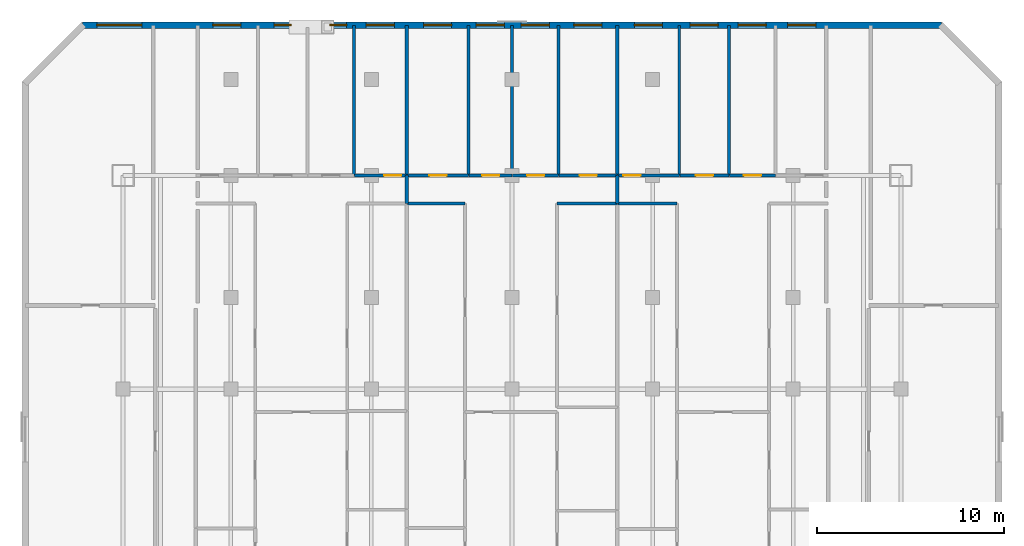
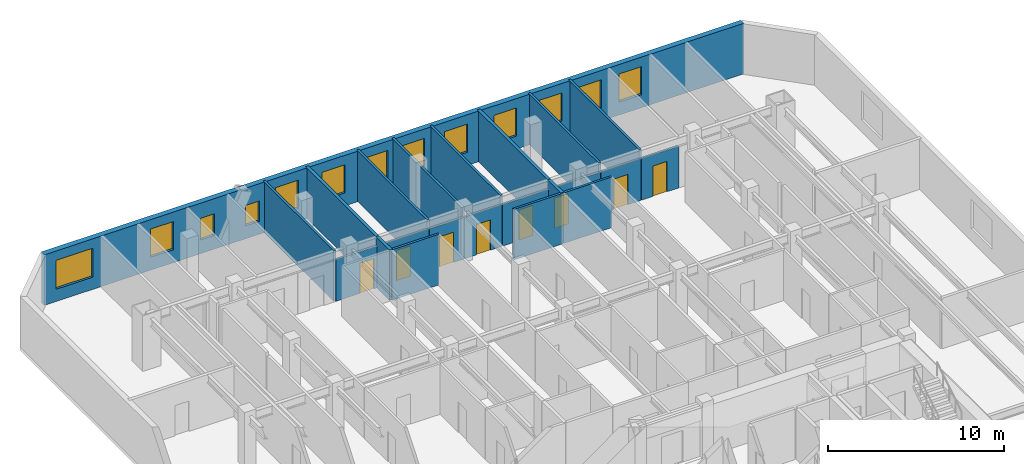
# One storey, part 6 of 8: 22 walls, 13 windows, 8 doors, 21 openings.
"""IFC4 building model written with IfcOpenShell, lengths in metres."""

from ifc_helpers import new_model, si_unit, direction, frame, frame_2d, origin, place, context, subcontext, project, spatial, rectangle, extrude, material, layer, layer_set, type_object, element, fill, save


model = new_model("IFC4")

# Units and contexts
model_context = context("Model", 3, precision=1e-05, world=origin(), true_north=direction((0.0, 1.0)))
body_context = subcontext(model_context, "Body", "Model", "MODEL_VIEW")
ifc_project = project(units=[si_unit("LENGTHUNIT", "METRE"), si_unit("AREAUNIT", "SQUARE_METRE"), si_unit("VOLUMEUNIT", "CUBIC_METRE"), si_unit("PLANEANGLEUNIT", "RADIAN"), si_unit("MASSUNIT", "GRAM", prefix="KILO")], contexts=[model_context])

# Site, building, storey
site_placement = place(None, origin())
site = spatial("IfcSite", under=ifc_project, at=site_placement, CompositionType="ELEMENT")
building_placement = place(site_placement, origin())
building = spatial("IfcBuilding", under=site, at=building_placement, Name="Ventersveld Concourse Tower", CompositionType="ELEMENT")
storey_placement = place(building_placement, frame((0.0, 0.0, 131.10009765625)))
storey = spatial("IfcBuildingStorey", under=building, at=storey_placement, Name="L32", CompositionType="ELEMENT", Elevation=131.10009765625)

# Walls
ifc_material_1 = material(Name="Fire-rated autoclaved aerated masonry blockwork", Category="masonry")
ifc_layer_1 = layer(ifc_material_1, 0.199951171875)
ifc_layer_set_1 = layer_set([ifc_layer_1], Name="Fire-rated autoclaved aerated masonry blockwork")
wall_type_1 = type_object("IfcWallType", Name="WL-DEMISE-200", PredefinedType="PARTITIONING", material=ifc_layer_set_1)
wall_1_placement = place(storey_placement, frame((23.1298828125, 33.4951171875, 0.0), z_axis=(0.0, 0.0, 1.0), x_axis=(0.0, 1.0, 0.0)))
element("IfcWall", 1, at=wall_1_placement, inside=storey, type_object=wall_type_1, Name="L32 Interior Partition SP-L32-32N1-LIV-SP-L32-32N2-LIV", PredefinedType="PARTITIONING", context=body_context, shape_type="SweptSolid", body=[
    extrude(rectangle(XDim=1.509765625, YDim=0.199951171875, at=frame_2d((0.7548828125, 0.0))), origin(), (0.0, 0.0, 1.0), 3.5),
])
wall_2_placement = place(storey_placement, frame((23.1298828125, 35.034912109375, 0.0), z_axis=(0.0, 0.0, 1.0), x_axis=(0.0, 1.0, 0.0)))
element("IfcWall", 2, at=wall_2_placement, inside=storey, type_object=wall_type_1, Name="L32 Interior Partition SP-L32-32N1-BR4-SP-L32-32N2-BR1", PredefinedType="PARTITIONING", context=body_context, shape_type="SweptSolid", body=[
    extrude(rectangle(XDim=7.955078125, YDim=0.199951171875, at=frame_2d((3.9775390625, 0.0))), origin(), (0.0, 0.0, 1.0), 3.5),
])
wall_3_placement = place(storey_placement, frame((34.3701171875, 33.4951171875, 0.0), z_axis=(0.0, 0.0, 1.0), x_axis=(0.0, 1.0, 0.0)))
element("IfcWall", 3, at=wall_3_placement, inside=storey, type_object=wall_type_1, Name="L32 Interior Partition SP-L32-32N2-LIV-SP-L32-32N3-LIV", PredefinedType="PARTITIONING", context=body_context, shape_type="SweptSolid", body=[
    extrude(rectangle(XDim=1.509765625, YDim=0.199951171875, at=frame_2d((0.7548828125, 0.0))), origin(), (0.0, 0.0, 1.0), 3.5),
])
wall_4_placement = place(storey_placement, frame((34.3701171875, 35.034912109375, 0.0), z_axis=(0.0, 0.0, 1.0), x_axis=(0.0, 1.0, 0.0)))
element("IfcWall", 4, at=wall_4_placement, inside=storey, type_object=wall_type_1, Name="L32 Interior Partition SP-L32-32N2-BR4-SP-L32-32N3-BR1", PredefinedType="PARTITIONING", context=body_context, shape_type="SweptSolid", body=[
    extrude(rectangle(XDim=7.955078125, YDim=0.199951171875, at=frame_2d((3.9775390625, 0.0))), origin(), (0.0, 0.0, 1.0), 3.5),
])

# Wall, opening, door
ifc_material_2 = material(Name="Autoclaved aerated masonry blockwork", Category="masonry")
ifc_layer_2 = layer(ifc_material_2, 0.14990234375)
ifc_layer_set_2 = layer_set([ifc_layer_2], Name="Autoclaved aerated masonry blockwork")
wall_type_2 = type_object("IfcWallType", Name="WL-INT-150", PredefinedType="PARTITIONING", material=ifc_layer_set_2)
wall_5_placement = place(storey_placement, frame((20.35498046875, 35.0, 0.0), z_axis=(0.0, 0.0, 1.0), x_axis=(1.0, 0.0, 0.0)))
wall_5 = element("IfcWall", 5, at=wall_5_placement, inside=storey, type_object=wall_type_2, Name="L32 Interior Partition SP-L32-32N1-LIV-SP-L32-32N1-BR4", PredefinedType="PARTITIONING", context=body_context, shape_type="SweptSolid", body=[
    extrude(rectangle(XDim=2.780029296875, YDim=0.14990234375, at=frame_2d((1.39013671875, 0.0))), origin(), (0.0, 0.0, 1.0), 2.8828125),
])
opening_1_placement = place(wall_5_placement, frame((1.580078125, 0.0, 0.0)))
opening_1 = element("IfcOpeningElement", 6, at=opening_1_placement, cuts=wall_5, Name="Opening ID1", PredefinedType="OPENING", context=body_context, shape_type="SweptSolid", body=[
    extrude(rectangle(XDim=0.919921875, YDim=2.10009765625, at=frame_2d((0.4599609375, 1.050048828125))), frame((0.0, 0.0849609375, 0.0), z_axis=(0.0, -1.0, 0.0), x_axis=(1.0, 0.0, 0.0)), (0.0, 0.0, 1.0), 0.169921875),
])
ifc_material_3 = material(Name="Solid-core hardwood veneer timber", Category="wood")
door_type = type_object("IfcDoorType", Name="DR-ROOM-092", OperationType="NOTDEFINED", PredefinedType="DOOR", material=ifc_material_3)
door_1_placement = place(opening_1_placement, origin())
door_1 = element("IfcDoor", 7, at=door_1_placement, inside=storey, type_object=door_type, Name="L32 Interior Door SP-L32-32N1-LIV to SP-L32-32N1-BR4 (D-L32-1611)", OperationType="SINGLE_SWING_LEFT", OverallHeight=2.10009765625, OverallWidth=0.919921875, PredefinedType="DOOR", context=body_context, shape_type="SweptSolid", body=[
    extrude(rectangle(XDim=0.919921875, YDim=2.10009765625, at=frame_2d((0.4599609375, 1.050048828125))), frame((0.0, 0.02490234375, 0.0), z_axis=(0.0, -1.0, 0.0), x_axis=(1.0, 0.0, 0.0)), (0.0, 0.0, 1.0), 0.050048828125),
])
fill(opening_1, door_1)

# Walls
wall_6_placement = place(storey_placement, frame((20.31982421875, 34.9951171875, 0.0), z_axis=(0.0, 0.0, 1.0), x_axis=(0.0, 1.0, 0.0)))
element("IfcWall", 8, at=wall_6_placement, inside=storey, type_object=wall_type_2, Name="L32 Interior Partition SP-L32-32N1-BR3-SP-L32-32N1-BR4", PredefinedType="PARTITIONING", context=body_context, shape_type="SweptSolid", body=[
    extrude(rectangle(XDim=7.994873046875, YDim=0.14990234375, at=frame_2d((3.99755859375, 0.0))), origin(), (0.0, 0.0, 1.0), 3.5),
])
wall_7_placement = place(storey_placement, frame((23.1650390625, 33.5, 0.0), z_axis=(0.0, 0.0, 1.0), x_axis=(1.0, 0.0, 0.0)))
element("IfcWall", 9, at=wall_7_placement, inside=storey, type_object=wall_type_2, Name="L32 Interior Partition SP-L32-32N2-LIV-SP-L32-32N2-OFFL0", PredefinedType="PARTITIONING", context=body_context, shape_type="SweptSolid", body=[
    extrude(rectangle(XDim=3.090087890625, YDim=0.14990234375, at=frame_2d((1.544921875, 0.0))), origin(), (0.0, 0.0, 1.0), 3.5),
])
wall_8_placement = place(storey_placement, frame((31.15283203125, 33.5, 0.0), z_axis=(0.0, 0.0, 1.0), x_axis=(1.0, 0.0, 0.0)))
element("IfcWall", 10, at=wall_8_placement, inside=storey, type_object=wall_type_2, Name="L32 Interior Partition SP-L32-32N2-LIV-SP-L32-32N2-DENS", PredefinedType="PARTITIONING", context=body_context, shape_type="SweptSolid", body=[
    extrude(rectangle(XDim=3.22216796875, YDim=0.14990234375, at=frame_2d((1.611083984375, 0.0))), origin(), (0.0, 0.0, 1.0), 3.5),
])

# Wall, opening, door
wall_9_placement = place(storey_placement, frame((23.1650390625, 35.0, 0.0), z_axis=(0.0, 0.0, 1.0), x_axis=(1.0, 0.0, 0.0)))
wall_9 = element("IfcWall", 11, at=wall_9_placement, inside=storey, type_object=wall_type_2, Name="L32 Interior Partition SP-L32-32N2-LIV-SP-L32-32N2-BR1", PredefinedType="PARTITIONING", context=body_context, shape_type="SweptSolid", body=[
    extrude(rectangle(XDim=3.27294921875, YDim=0.14990234375, at=frame_2d((1.636474609375, 0.0))), origin(), (0.0, 0.0, 1.0), 2.8828125),
])
opening_2_placement = place(wall_9_placement, frame((1.176513671875, 0.0, 0.0)))
opening_2 = element("IfcOpeningElement", 12, at=opening_2_placement, cuts=wall_9, Name="Opening ID1", PredefinedType="OPENING", context=body_context, shape_type="SweptSolid", body=[
    extrude(rectangle(XDim=0.919921875, YDim=2.10009765625, at=frame_2d((0.4599609375, 1.050048828125))), frame((0.0, 0.0849609375, 0.0), z_axis=(0.0, -1.0, 0.0), x_axis=(1.0, 0.0, 0.0)), (0.0, 0.0, 1.0), 0.169921875),
])
door_2_placement = place(opening_2_placement, origin())
door_2 = element("IfcDoor", 13, at=door_2_placement, inside=storey, type_object=door_type, Name="L32 Interior Door SP-L32-32N2-LIV to SP-L32-32N2-BR1 (D-L32-1619)", OperationType="SINGLE_SWING_LEFT", OverallHeight=2.10009765625, OverallWidth=0.919921875, PredefinedType="DOOR", context=body_context, shape_type="SweptSolid", body=[
    extrude(rectangle(XDim=0.919921875, YDim=2.10009765625, at=frame_2d((0.4599609375, 1.050048828125))), frame((0.0, 0.02490234375, 0.0), z_axis=(0.0, -1.0, 0.0), x_axis=(1.0, 0.0, 0.0)), (0.0, 0.0, 1.0), 0.050048828125),
])
fill(opening_2, door_2)

wall_10_placement = place(storey_placement, frame((26.468017578125, 35.0, 0.0), z_axis=(0.0, 0.0, 1.0), x_axis=(1.0, 0.0, 0.0)))
wall_10 = element("IfcWall", 14, at=wall_10_placement, inside=storey, type_object=wall_type_2, Name="L32 Interior Partition SP-L32-32N2-LIV-SP-L32-32N2-BR2", PredefinedType="PARTITIONING", context=body_context, shape_type="SweptSolid", body=[
    extrude(rectangle(XDim=2.286865234375, YDim=0.14990234375, at=frame_2d((1.1435546875, 0.0))), origin(), (0.0, 0.0, 1.0), 2.8828125),
])
opening_3_placement = place(wall_10_placement, frame((0.683349609375, 0.0, 0.0)))
opening_3 = element("IfcOpeningElement", 15, at=opening_3_placement, cuts=wall_10, Name="Opening ID1", PredefinedType="OPENING", context=body_context, shape_type="SweptSolid", body=[
    extrude(rectangle(XDim=0.919921875, YDim=2.10009765625, at=frame_2d((0.4599609375, 1.050048828125))), frame((0.0, 0.0849609375, 0.0), z_axis=(0.0, -1.0, 0.0), x_axis=(1.0, 0.0, 0.0)), (0.0, 0.0, 1.0), 0.169921875),
])
door_3_placement = place(opening_3_placement, origin())
door_3 = element("IfcDoor", 16, at=door_3_placement, inside=storey, type_object=door_type, Name="L32 Interior Door SP-L32-32N2-LIV to SP-L32-32N2-BR2 (D-L32-1620)", OperationType="SINGLE_SWING_RIGHT", OverallHeight=2.10009765625, OverallWidth=0.919921875, PredefinedType="DOOR", context=body_context, shape_type="SweptSolid", body=[
    extrude(rectangle(XDim=0.919921875, YDim=2.10009765625, at=frame_2d((0.4599609375, 1.050048828125))), frame((0.0, 0.02490234375, 0.0), z_axis=(0.0, -1.0, 0.0), x_axis=(1.0, 0.0, 0.0)), (0.0, 0.0, 1.0), 0.050048828125),
])
fill(opening_3, door_3)

wall_11_placement = place(storey_placement, frame((28.784912109375, 35.0, 0.0), z_axis=(0.0, 0.0, 1.0), x_axis=(1.0, 0.0, 0.0)))
wall_11 = element("IfcWall", 17, at=wall_11_placement, inside=storey, type_object=wall_type_2, Name="L32 Interior Partition SP-L32-32N2-LIV-SP-L32-32N2-BR3", PredefinedType="PARTITIONING", context=body_context, shape_type="SweptSolid", body=[
    extrude(rectangle(XDim=2.451171875, YDim=0.14990234375, at=frame_2d((1.2255859375, 0.0))), origin(), (0.0, 0.0, 1.0), 2.8828125),
])
opening_4_placement = place(wall_11_placement, frame((0.765625, 0.0, 0.0)))
opening_4 = element("IfcOpeningElement", 18, at=opening_4_placement, cuts=wall_11, Name="Opening ID1", PredefinedType="OPENING", context=body_context, shape_type="SweptSolid", body=[
    extrude(rectangle(XDim=0.919921875, YDim=2.10009765625, at=frame_2d((0.4599609375, 1.050048828125))), frame((0.0, 0.0849609375, 0.0), z_axis=(0.0, -1.0, 0.0), x_axis=(1.0, 0.0, 0.0)), (0.0, 0.0, 1.0), 0.169921875),
])
door_4_placement = place(opening_4_placement, origin())
door_4 = element("IfcDoor", 19, at=door_4_placement, inside=storey, type_object=door_type, Name="L32 Interior Door SP-L32-32N2-LIV to SP-L32-32N2-BR3 (D-L32-1621)", OperationType="SINGLE_SWING_LEFT", OverallHeight=2.10009765625, OverallWidth=0.919921875, PredefinedType="DOOR", context=body_context, shape_type="SweptSolid", body=[
    extrude(rectangle(XDim=0.919921875, YDim=2.10009765625, at=frame_2d((0.4599609375, 1.050048828125))), frame((0.0, 0.02490234375, 0.0), z_axis=(0.0, -1.0, 0.0), x_axis=(1.0, 0.0, 0.0)), (0.0, 0.0, 1.0), 0.050048828125),
])
fill(opening_4, door_4)

wall_12_placement = place(storey_placement, frame((31.26611328125, 35.0, 0.0), z_axis=(0.0, 0.0, 1.0), x_axis=(1.0, 0.0, 0.0)))
wall_12 = element("IfcWall", 20, at=wall_12_placement, inside=storey, type_object=wall_type_2, Name="L32 Interior Partition SP-L32-32N2-LIV-SP-L32-32N2-BR4", PredefinedType="PARTITIONING", context=body_context, shape_type="SweptSolid", body=[
    extrude(rectangle(XDim=3.10888671875, YDim=0.14990234375, at=frame_2d((1.554443359375, 0.0))), origin(), (0.0, 0.0, 1.0), 2.8828125),
])
opening_5_placement = place(wall_12_placement, frame((1.094482421875, 0.0, 0.0)))
opening_5 = element("IfcOpeningElement", 21, at=opening_5_placement, cuts=wall_12, Name="Opening ID1", PredefinedType="OPENING", context=body_context, shape_type="SweptSolid", body=[
    extrude(rectangle(XDim=0.919921875, YDim=2.10009765625, at=frame_2d((0.4599609375, 1.050048828125))), frame((0.0, 0.0849609375, 0.0), z_axis=(0.0, -1.0, 0.0), x_axis=(1.0, 0.0, 0.0)), (0.0, 0.0, 1.0), 0.169921875),
])
door_5_placement = place(opening_5_placement, origin())
door_5 = element("IfcDoor", 22, at=door_5_placement, inside=storey, type_object=door_type, Name="L32 Interior Door SP-L32-32N2-LIV to SP-L32-32N2-BR4 (D-L32-1622)", OperationType="SINGLE_SWING_RIGHT", OverallHeight=2.10009765625, OverallWidth=0.919921875, PredefinedType="DOOR", context=body_context, shape_type="SweptSolid", body=[
    extrude(rectangle(XDim=0.919921875, YDim=2.10009765625, at=frame_2d((0.4599609375, 1.050048828125))), frame((0.0, 0.02490234375, 0.0), z_axis=(0.0, -1.0, 0.0), x_axis=(1.0, 0.0, 0.0)), (0.0, 0.0, 1.0), 0.050048828125),
])
fill(opening_5, door_5)

# Walls
for number, where, z_axis, x_axis, name in (
    (23, (26.43310546875, 34.9951171875, 0.0), (0.0, 0.0, 1.0), (0.0, 1.0, 0.0), "L32 Interior Partition SP-L32-32N2-BR1-SP-L32-32N2-BR2"),
    (24, (28.75, 34.9951171875, 0.0), (0.0, 0.0, 1.0), (0.0, 1.0, 0.0), "L32 Interior Partition SP-L32-32N2-BR2-SP-L32-32N2-BR3"),
    (25, (31.231201171875, 34.9951171875, 0.0), (0.0, 0.0, 1.0), (0.0, 1.0, 0.0), "L32 Interior Partition SP-L32-32N2-BR3-SP-L32-32N2-BR4"),
):
    element("IfcWall", number, at=place(storey_placement, frame(where, z_axis=z_axis, x_axis=x_axis)), inside=storey, type_object=wall_type_2, Name=name, PredefinedType="PARTITIONING", context=body_context, shape_type="SweptSolid", body=[
        extrude(rectangle(XDim=7.994873046875, YDim=0.14990234375, at=frame_2d((3.99755859375, 0.0))), origin(), (0.0, 0.0, 1.0), 3.5),
    ])
wall_13_placement = place(storey_placement, frame((34.405029296875, 33.5, 0.0), z_axis=(0.0, 0.0, 1.0), x_axis=(1.0, 0.0, 0.0)))
element("IfcWall", 26, at=wall_13_placement, inside=storey, type_object=wall_type_2, Name="L32 Interior Partition SP-L32-32N3-LIV-SP-L32-32N3-OFFL0", PredefinedType="PARTITIONING", context=body_context, shape_type="SweptSolid", body=[
    extrude(rectangle(XDim=3.1591796875, YDim=0.14990234375, at=frame_2d((1.57958984375, 0.0))), origin(), (0.0, 0.0, 1.0), 3.5),
])

# Wall, opening, door
wall_14_placement = place(storey_placement, frame((34.405029296875, 35.0, 0.0), z_axis=(0.0, 0.0, 1.0), x_axis=(1.0, 0.0, 0.0)))
wall_14 = element("IfcWall", 27, at=wall_14_placement, inside=storey, type_object=wall_type_2, Name="L32 Interior Partition SP-L32-32N3-LIV-SP-L32-32N3-BR1", PredefinedType="PARTITIONING", context=body_context, shape_type="SweptSolid", body=[
    extrude(rectangle(XDim=3.27294921875, YDim=0.14990234375, at=frame_2d((1.636474609375, 0.0))), origin(), (0.0, 0.0, 1.0), 2.8828125),
])
opening_6_placement = place(wall_14_placement, frame((0.280029296875, 0.0, 0.0)))
opening_6 = element("IfcOpeningElement", 28, at=opening_6_placement, cuts=wall_14, Name="Opening ID1", PredefinedType="OPENING", context=body_context, shape_type="SweptSolid", body=[
    extrude(rectangle(XDim=0.919921875, YDim=2.10009765625, at=frame_2d((0.4599609375, 1.050048828125))), frame((0.0, 0.0849609375, 0.0), z_axis=(0.0, -1.0, 0.0), x_axis=(1.0, 0.0, 0.0)), (0.0, 0.0, 1.0), 0.169921875),
])
door_6_placement = place(opening_6_placement, origin())
door_6 = element("IfcDoor", 29, at=door_6_placement, inside=storey, type_object=door_type, Name="L32 Interior Door SP-L32-32N3-LIV to SP-L32-32N3-BR1 (D-L32-1630)", OperationType="SINGLE_SWING_RIGHT", OverallHeight=2.10009765625, OverallWidth=0.919921875, PredefinedType="DOOR", context=body_context, shape_type="SweptSolid", body=[
    extrude(rectangle(XDim=0.919921875, YDim=2.10009765625, at=frame_2d((0.4599609375, 1.050048828125))), frame((0.0, 0.02490234375, 0.0), z_axis=(0.0, -1.0, 0.0), x_axis=(1.0, 0.0, 0.0)), (0.0, 0.0, 1.0), 0.050048828125),
])
fill(opening_6, door_6)

wall_15_placement = place(storey_placement, frame((37.7080078125, 35.0, 0.0), z_axis=(0.0, 0.0, 1.0), x_axis=(1.0, 0.0, 0.0)))
wall_15 = element("IfcWall", 30, at=wall_15_placement, inside=storey, type_object=wall_type_2, Name="L32 Interior Partition SP-L32-32N3-LIV-SP-L32-32N3-BR2", PredefinedType="PARTITIONING", context=body_context, shape_type="SweptSolid", body=[
    extrude(rectangle(XDim=2.61572265625, YDim=0.14990234375, at=frame_2d((1.307861328125, 0.0))), origin(), (0.0, 0.0, 1.0), 2.8828125),
])
opening_7_placement = place(wall_15_placement, frame((0.847900390625, 0.0, 0.0)))
opening_7 = element("IfcOpeningElement", 31, at=opening_7_placement, cuts=wall_15, Name="Opening ID1", PredefinedType="OPENING", context=body_context, shape_type="SweptSolid", body=[
    extrude(rectangle(XDim=0.919921875, YDim=2.10009765625, at=frame_2d((0.4599609375, 1.050048828125))), frame((0.0, 0.0849609375, 0.0), z_axis=(0.0, -1.0, 0.0), x_axis=(1.0, 0.0, 0.0)), (0.0, 0.0, 1.0), 0.169921875),
])
door_7_placement = place(opening_7_placement, origin())
door_7 = element("IfcDoor", 32, at=door_7_placement, inside=storey, type_object=door_type, Name="L32 Interior Door SP-L32-32N3-LIV to SP-L32-32N3-BR2 (D-L32-1631)", OperationType="SINGLE_SWING_LEFT", OverallHeight=2.10009765625, OverallWidth=0.919921875, PredefinedType="DOOR", context=body_context, shape_type="SweptSolid", body=[
    extrude(rectangle(XDim=0.919921875, YDim=2.10009765625, at=frame_2d((0.4599609375, 1.050048828125))), frame((0.0, 0.02490234375, 0.0), z_axis=(0.0, -1.0, 0.0), x_axis=(1.0, 0.0, 0.0)), (0.0, 0.0, 1.0), 0.050048828125),
])
fill(opening_7, door_7)

wall_16_placement = place(storey_placement, frame((40.353759765625, 35.0, 0.0), z_axis=(0.0, 0.0, 1.0), x_axis=(1.0, 0.0, 0.0)))
wall_16 = element("IfcWall", 33, at=wall_16_placement, inside=storey, type_object=wall_type_2, Name="L32 Interior Partition SP-L32-32N3-LIV-SP-L32-32N3-BR3", PredefinedType="PARTITIONING", context=body_context, shape_type="SweptSolid", body=[
    extrude(rectangle(XDim=2.451171875, YDim=0.14990234375, at=frame_2d((1.2255859375, 0.0))), origin(), (0.0, 0.0, 1.0), 2.8828125),
])
opening_8_placement = place(wall_16_placement, frame((0.765625, 0.0, 0.0)))
opening_8 = element("IfcOpeningElement", 34, at=opening_8_placement, cuts=wall_16, Name="Opening ID1", PredefinedType="OPENING", context=body_context, shape_type="SweptSolid", body=[
    extrude(rectangle(XDim=0.919921875, YDim=2.10009765625, at=frame_2d((0.4599609375, 1.050048828125))), frame((0.0, 0.0849609375, 0.0), z_axis=(0.0, -1.0, 0.0), x_axis=(1.0, 0.0, 0.0)), (0.0, 0.0, 1.0), 0.169921875),
])
door_8_placement = place(opening_8_placement, origin())
door_8 = element("IfcDoor", 35, at=door_8_placement, inside=storey, type_object=door_type, Name="L32 Interior Door SP-L32-32N3-LIV to SP-L32-32N3-BR3 (D-L32-1632)", OperationType="SINGLE_SWING_RIGHT", OverallHeight=2.10009765625, OverallWidth=0.919921875, PredefinedType="DOOR", context=body_context, shape_type="SweptSolid", body=[
    extrude(rectangle(XDim=0.919921875, YDim=2.10009765625, at=frame_2d((0.4599609375, 1.050048828125))), frame((0.0, 0.02490234375, 0.0), z_axis=(0.0, -1.0, 0.0), x_axis=(1.0, 0.0, 0.0)), (0.0, 0.0, 1.0), 0.050048828125),
])
fill(opening_8, door_8)

# Walls
for number, where, z_axis, x_axis, name in (
    (36, (37.673095703125, 34.9951171875, 0.0), (0.0, 0.0, 1.0), (0.0, 1.0, 0.0), "L32 Interior Partition SP-L32-32N3-BR1-SP-L32-32N3-BR2"),
    (37, (40.318603515625, 34.9951171875, 0.0), (0.0, 0.0, 1.0), (0.0, 1.0, 0.0), "L32 Interior Partition SP-L32-32N3-BR2-SP-L32-32N3-BR3"),
):
    element("IfcWall", number, at=place(storey_placement, frame(where, z_axis=z_axis, x_axis=x_axis)), inside=storey, type_object=wall_type_2, Name=name, PredefinedType="PARTITIONING", context=body_context, shape_type="SweptSolid", body=[
        extrude(rectangle(XDim=7.994873046875, YDim=0.14990234375, at=frame_2d((3.99755859375, 0.0))), origin(), (0.0, 0.0, 1.0), 3.5),
    ])

# Wall, openings, windows
ifc_material_4 = material(Name="Precast concrete C45/55", Category="concrete")
ifc_layer_3 = layer(ifc_material_4, 0.35009765625)
ifc_layer_set_3 = layer_set([ifc_layer_3], Name="Precast concrete C45/55")
wall_type_3 = type_object("IfcWallType", Name="WL-PREC-350", PredefinedType="SOLIDWALL", material=ifc_layer_set_3)
wall_17_placement = place(storey_placement, frame((51.659912109375, 43.02490234375, 0.0), z_axis=(0.0, 0.0, 1.0), x_axis=(-1.0, 0.0, 0.0)))
wall_17 = element("IfcWall", 38, at=wall_17_placement, inside=storey, type_object=wall_type_3, Name="L32 Highveld Precast Facade Wall E05", PredefinedType="SOLIDWALL", context=body_context, shape_type="SweptSolid", body=[
    extrude(rectangle(XDim=45.81982421875, YDim=0.35009765625, at=frame_2d((22.909912109375, 0.0))), origin(), (0.0, 0.0, 1.0), 3.5),
])
opening_9_placement = place(wall_17_placement, frame((42.64990234375, 0.0, 0.85009765625)))
opening_9 = element("IfcOpeningElement", 39, at=opening_9_placement, cuts=wall_17, Name="Opening W5", PredefinedType="OPENING", context=body_context, shape_type="SweptSolid", body=[
    extrude(rectangle(XDim=2.39990234375, YDim=2.0, at=frame_2d((1.199951171875, 1.0))), frame((0.0, 0.18505859375, 0.0), z_axis=(0.0, -1.0, 0.0), x_axis=(1.0, 0.0, 0.0)), (0.0, 0.0, 1.0), 0.3701171875),
])
opening_10_placement = place(wall_17_placement, frame((37.368408203125, 0.0, 0.89990234375)))
opening_10 = element("IfcOpeningElement", 40, at=opening_10_placement, cuts=wall_17, Name="Opening W1", PredefinedType="OPENING", context=body_context, shape_type="SweptSolid", body=[
    extrude(rectangle(XDim=1.5, YDim=1.949951171875, at=frame_2d((0.75, 0.97509765625))), frame((0.0, 0.18505859375, 0.0), z_axis=(0.0, -1.0, 0.0), x_axis=(1.0, 0.0, 0.0)), (0.0, 0.0, 1.0), 0.3701171875),
])
opening_11_placement = place(wall_17_placement, frame((34.694091796875, 0.0, 0.949951171875)))
opening_11 = element("IfcOpeningElement", 41, at=opening_11_placement, cuts=wall_17, Name="Opening W4", PredefinedType="OPENING", context=body_context, shape_type="SweptSolid", body=[
    extrude(rectangle(XDim=0.89990234375, YDim=1.5, at=frame_2d((0.449951171875, 0.75))), frame((0.0, 0.18505859375, 0.0), z_axis=(0.0, -1.0, 0.0), x_axis=(1.0, 0.0, 0.0)), (0.0, 0.0, 1.0), 0.3701171875),
])
opening_12_placement = place(wall_17_placement, frame((31.734375, 0.0, 0.89990234375)))
opening_12 = element("IfcOpeningElement", 42, at=opening_12_placement, cuts=wall_17, Name="Opening W8", PredefinedType="OPENING", context=body_context, shape_type="SweptSolid", body=[
    extrude(rectangle(XDim=0.89990234375, YDim=1.39990234375, at=frame_2d((0.449951171875, 0.699951171875))), frame((0.0, 0.18505859375, 0.0), z_axis=(0.0, -1.0, 0.0), x_axis=(1.0, 0.0, 0.0)), (0.0, 0.0, 1.0), 0.3701171875),
])
opening_13_placement = place(wall_17_placement, frame((29.18505859375, 0.0, 0.89990234375)))
opening_13 = element("IfcOpeningElement", 43, at=opening_13_placement, cuts=wall_17, Name="Opening W1", PredefinedType="OPENING", context=body_context, shape_type="SweptSolid", body=[
    extrude(rectangle(XDim=1.5, YDim=1.949951171875, at=frame_2d((0.75, 0.97509765625))), frame((0.0, 0.18505859375, 0.0), z_axis=(0.0, -1.0, 0.0), x_axis=(1.0, 0.0, 0.0)), (0.0, 0.0, 1.0), 0.3701171875),
])
opening_14_placement = place(wall_17_placement, frame((26.12841796875, 0.0, 0.89990234375)))
opening_14 = element("IfcOpeningElement", 44, at=opening_14_placement, cuts=wall_17, Name="Opening W1", PredefinedType="OPENING", context=body_context, shape_type="SweptSolid", body=[
    extrude(rectangle(XDim=1.5, YDim=1.949951171875, at=frame_2d((0.75, 0.97509765625))), frame((0.0, 0.18505859375, 0.0), z_axis=(0.0, -1.0, 0.0), x_axis=(1.0, 0.0, 0.0)), (0.0, 0.0, 1.0), 0.3701171875),
])
opening_15_placement = place(wall_17_placement, frame((23.318359375, 0.0, 0.89990234375)))
opening_15 = element("IfcOpeningElement", 45, at=opening_15_placement, cuts=wall_17, Name="Opening W1", PredefinedType="OPENING", context=body_context, shape_type="SweptSolid", body=[
    extrude(rectangle(XDim=1.5, YDim=1.949951171875, at=frame_2d((0.75, 0.97509765625))), frame((0.0, 0.18505859375, 0.0), z_axis=(0.0, -1.0, 0.0), x_axis=(1.0, 0.0, 0.0)), (0.0, 0.0, 1.0), 0.3701171875),
])
opening_16_placement = place(wall_17_placement, frame((20.91943359375, 0.0, 0.89990234375)))
opening_16 = element("IfcOpeningElement", 46, at=opening_16_placement, cuts=wall_17, Name="Opening W1", PredefinedType="OPENING", context=body_context, shape_type="SweptSolid", body=[
    extrude(rectangle(XDim=1.5, YDim=1.949951171875, at=frame_2d((0.75, 0.97509765625))), frame((0.0, 0.18505859375, 0.0), z_axis=(0.0, -1.0, 0.0), x_axis=(1.0, 0.0, 0.0)), (0.0, 0.0, 1.0), 0.3701171875),
])
opening_17_placement = place(wall_17_placement, frame((18.109375, 0.0, 0.89990234375)))
opening_17 = element("IfcOpeningElement", 47, at=opening_17_placement, cuts=wall_17, Name="Opening W1", PredefinedType="OPENING", context=body_context, shape_type="SweptSolid", body=[
    extrude(rectangle(XDim=1.5, YDim=1.949951171875, at=frame_2d((0.75, 0.97509765625))), frame((0.0, 0.18505859375, 0.0), z_axis=(0.0, -1.0, 0.0), x_axis=(1.0, 0.0, 0.0)), (0.0, 0.0, 1.0), 0.3701171875),
])
opening_18_placement = place(wall_17_placement, frame((14.888427734375, 0.0, 0.89990234375)))
opening_18 = element("IfcOpeningElement", 48, at=opening_18_placement, cuts=wall_17, Name="Opening W1", PredefinedType="OPENING", context=body_context, shape_type="SweptSolid", body=[
    extrude(rectangle(XDim=1.5, YDim=1.949951171875, at=frame_2d((0.75, 0.97509765625))), frame((0.0, 0.18505859375, 0.0), z_axis=(0.0, -1.0, 0.0), x_axis=(1.0, 0.0, 0.0)), (0.0, 0.0, 1.0), 0.3701171875),
])
opening_19_placement = place(wall_17_placement, frame((11.9140625, 0.0, 0.89990234375)))
opening_19 = element("IfcOpeningElement", 49, at=opening_19_placement, cuts=wall_17, Name="Opening W1", PredefinedType="OPENING", context=body_context, shape_type="SweptSolid", body=[
    extrude(rectangle(XDim=1.5, YDim=1.949951171875, at=frame_2d((0.75, 0.97509765625))), frame((0.0, 0.18505859375, 0.0), z_axis=(0.0, -1.0, 0.0), x_axis=(1.0, 0.0, 0.0)), (0.0, 0.0, 1.0), 0.3701171875),
])
opening_20_placement = place(wall_17_placement, frame((9.3505859375, 0.0, 0.89990234375)))
opening_20 = element("IfcOpeningElement", 50, at=opening_20_placement, cuts=wall_17, Name="Opening W1", PredefinedType="OPENING", context=body_context, shape_type="SweptSolid", body=[
    extrude(rectangle(XDim=1.5, YDim=1.949951171875, at=frame_2d((0.75, 0.97509765625))), frame((0.0, 0.18505859375, 0.0), z_axis=(0.0, -1.0, 0.0), x_axis=(1.0, 0.0, 0.0)), (0.0, 0.0, 1.0), 0.3701171875),
])
opening_21_placement = place(wall_17_placement, frame((6.705078125, 0.0, 0.89990234375)))
opening_21 = element("IfcOpeningElement", 51, at=opening_21_placement, cuts=wall_17, Name="Opening W1", PredefinedType="OPENING", context=body_context, shape_type="SweptSolid", body=[
    extrude(rectangle(XDim=1.5, YDim=1.949951171875, at=frame_2d((0.75, 0.97509765625))), frame((0.0, 0.18505859375, 0.0), z_axis=(0.0, -1.0, 0.0), x_axis=(1.0, 0.0, 0.0)), (0.0, 0.0, 1.0), 0.3701171875),
])
ifc_material_5 = material(Name="Tempered acoustic Low-E IGU", Category="glass")
window_type_1 = type_object("IfcWindowType", Name="WIN-090x140", PartitioningType="SINGLE_PANEL", PredefinedType="WINDOW", material=ifc_material_5)
window_1_placement = place(opening_12_placement, origin())
window_1 = element("IfcWindow", 52, at=window_1_placement, inside=storey, type_object=window_type_1, Name="L32 Punched Low-E Window W-0419", OverallHeight=1.39990234375, OverallWidth=0.89990234375, PartitioningType="SINGLE_PANEL", PredefinedType="WINDOW", context=body_context, shape_type="SweptSolid", body=[
    extrude(rectangle(XDim=0.89990234375, YDim=1.39990234375, at=frame_2d((0.449951171875, 0.699951171875))), frame((0.0, 0.030029296875, 0.0), z_axis=(0.0, -1.0, 0.0), x_axis=(1.0, 0.0, 0.0)), (0.0, 0.0, 1.0), 0.06005859375),
])
fill(opening_12, window_1)
window_type_2 = type_object("IfcWindowType", Name="WIN-090x150", PartitioningType="SINGLE_PANEL", PredefinedType="WINDOW", material=ifc_material_5)
window_2_placement = place(opening_11_placement, origin())
window_2 = element("IfcWindow", 53, at=window_2_placement, inside=storey, type_object=window_type_2, Name="L32 Punched Low-E Window W-0418", OverallHeight=1.5, OverallWidth=0.89990234375, PartitioningType="SINGLE_PANEL", PredefinedType="WINDOW", context=body_context, shape_type="SweptSolid", body=[
    extrude(rectangle(XDim=0.89990234375, YDim=1.5, at=frame_2d((0.449951171875, 0.75))), frame((0.0, 0.030029296875, 0.0), z_axis=(0.0, -1.0, 0.0), x_axis=(1.0, 0.0, 0.0)), (0.0, 0.0, 1.0), 0.06005859375),
])
fill(opening_11, window_2)
window_type_3 = type_object("IfcWindowType", Name="WIN-150x210", PartitioningType="SINGLE_PANEL", PredefinedType="WINDOW", material=ifc_material_5)
window_3_placement = place(opening_10_placement, origin())
window_3 = element("IfcWindow", 54, at=window_3_placement, inside=storey, type_object=window_type_3, Name="L32 Punched Low-E Window W-0417", OverallHeight=1.949951171875, OverallWidth=1.5, PartitioningType="SINGLE_PANEL", PredefinedType="WINDOW", context=body_context, shape_type="SweptSolid", body=[
    extrude(rectangle(XDim=1.5, YDim=1.949951171875, at=frame_2d((0.75, 0.97509765625))), frame((0.0, 0.030029296875, 0.0), z_axis=(0.0, -1.0, 0.0), x_axis=(1.0, 0.0, 0.0)), (0.0, 0.0, 1.0), 0.06005859375),
])
fill(opening_10, window_3)
window_4_placement = place(opening_13_placement, origin())
window_4 = element("IfcWindow", 55, at=window_4_placement, inside=storey, type_object=window_type_3, Name="L32 Punched Low-E Window W-0420", OverallHeight=1.949951171875, OverallWidth=1.5, PartitioningType="SINGLE_PANEL", PredefinedType="WINDOW", context=body_context, shape_type="SweptSolid", body=[
    extrude(rectangle(XDim=1.5, YDim=1.949951171875, at=frame_2d((0.75, 0.97509765625))), frame((0.0, 0.030029296875, 0.0), z_axis=(0.0, -1.0, 0.0), x_axis=(1.0, 0.0, 0.0)), (0.0, 0.0, 1.0), 0.06005859375),
])
fill(opening_13, window_4)
window_5_placement = place(opening_14_placement, origin())
window_5 = element("IfcWindow", 56, at=window_5_placement, inside=storey, type_object=window_type_3, Name="L32 Punched Low-E Window W-0421", OverallHeight=1.949951171875, OverallWidth=1.5, PartitioningType="SINGLE_PANEL", PredefinedType="WINDOW", context=body_context, shape_type="SweptSolid", body=[
    extrude(rectangle(XDim=1.5, YDim=1.949951171875, at=frame_2d((0.75, 0.97509765625))), frame((0.0, 0.030029296875, 0.0), z_axis=(0.0, -1.0, 0.0), x_axis=(1.0, 0.0, 0.0)), (0.0, 0.0, 1.0), 0.06005859375),
])
fill(opening_14, window_5)
window_6_placement = place(opening_15_placement, origin())
window_6 = element("IfcWindow", 57, at=window_6_placement, inside=storey, type_object=window_type_3, Name="L32 Punched Low-E Window W-0422", OverallHeight=1.949951171875, OverallWidth=1.5, PartitioningType="SINGLE_PANEL", PredefinedType="WINDOW", context=body_context, shape_type="SweptSolid", body=[
    extrude(rectangle(XDim=1.5, YDim=1.949951171875, at=frame_2d((0.75, 0.97509765625))), frame((0.0, 0.030029296875, 0.0), z_axis=(0.0, -1.0, 0.0), x_axis=(1.0, 0.0, 0.0)), (0.0, 0.0, 1.0), 0.06005859375),
])
fill(opening_15, window_6)
window_7_placement = place(opening_16_placement, origin())
window_7 = element("IfcWindow", 58, at=window_7_placement, inside=storey, type_object=window_type_3, Name="L32 Punched Low-E Window W-0423", OverallHeight=1.949951171875, OverallWidth=1.5, PartitioningType="SINGLE_PANEL", PredefinedType="WINDOW", context=body_context, shape_type="SweptSolid", body=[
    extrude(rectangle(XDim=1.5, YDim=1.949951171875, at=frame_2d((0.75, 0.97509765625))), frame((0.0, 0.030029296875, 0.0), z_axis=(0.0, -1.0, 0.0), x_axis=(1.0, 0.0, 0.0)), (0.0, 0.0, 1.0), 0.06005859375),
])
fill(opening_16, window_7)
window_8_placement = place(opening_17_placement, origin())
window_8 = element("IfcWindow", 59, at=window_8_placement, inside=storey, type_object=window_type_3, Name="L32 Punched Low-E Window W-0424", OverallHeight=1.949951171875, OverallWidth=1.5, PartitioningType="SINGLE_PANEL", PredefinedType="WINDOW", context=body_context, shape_type="SweptSolid", body=[
    extrude(rectangle(XDim=1.5, YDim=1.949951171875, at=frame_2d((0.75, 0.97509765625))), frame((0.0, 0.030029296875, 0.0), z_axis=(0.0, -1.0, 0.0), x_axis=(1.0, 0.0, 0.0)), (0.0, 0.0, 1.0), 0.06005859375),
])
fill(opening_17, window_8)
window_9_placement = place(opening_18_placement, origin())
window_9 = element("IfcWindow", 60, at=window_9_placement, inside=storey, type_object=window_type_3, Name="L32 Punched Low-E Window W-0425", OverallHeight=1.949951171875, OverallWidth=1.5, PartitioningType="SINGLE_PANEL", PredefinedType="WINDOW", context=body_context, shape_type="SweptSolid", body=[
    extrude(rectangle(XDim=1.5, YDim=1.949951171875, at=frame_2d((0.75, 0.97509765625))), frame((0.0, 0.030029296875, 0.0), z_axis=(0.0, -1.0, 0.0), x_axis=(1.0, 0.0, 0.0)), (0.0, 0.0, 1.0), 0.06005859375),
])
fill(opening_18, window_9)
window_10_placement = place(opening_19_placement, origin())
window_10 = element("IfcWindow", 61, at=window_10_placement, inside=storey, type_object=window_type_3, Name="L32 Punched Low-E Window W-0426", OverallHeight=1.949951171875, OverallWidth=1.5, PartitioningType="SINGLE_PANEL", PredefinedType="WINDOW", context=body_context, shape_type="SweptSolid", body=[
    extrude(rectangle(XDim=1.5, YDim=1.949951171875, at=frame_2d((0.75, 0.97509765625))), frame((0.0, 0.030029296875, 0.0), z_axis=(0.0, -1.0, 0.0), x_axis=(1.0, 0.0, 0.0)), (0.0, 0.0, 1.0), 0.06005859375),
])
fill(opening_19, window_10)
window_11_placement = place(opening_20_placement, origin())
window_11 = element("IfcWindow", 62, at=window_11_placement, inside=storey, type_object=window_type_3, Name="L32 Punched Low-E Window W-0427", OverallHeight=1.949951171875, OverallWidth=1.5, PartitioningType="SINGLE_PANEL", PredefinedType="WINDOW", context=body_context, shape_type="SweptSolid", body=[
    extrude(rectangle(XDim=1.5, YDim=1.949951171875, at=frame_2d((0.75, 0.97509765625))), frame((0.0, 0.030029296875, 0.0), z_axis=(0.0, -1.0, 0.0), x_axis=(1.0, 0.0, 0.0)), (0.0, 0.0, 1.0), 0.06005859375),
])
fill(opening_20, window_11)
window_12_placement = place(opening_21_placement, origin())
window_12 = element("IfcWindow", 63, at=window_12_placement, inside=storey, type_object=window_type_3, Name="L32 Punched Low-E Window W-0428", OverallHeight=1.949951171875, OverallWidth=1.5, PartitioningType="SINGLE_PANEL", PredefinedType="WINDOW", context=body_context, shape_type="SweptSolid", body=[
    extrude(rectangle(XDim=1.5, YDim=1.949951171875, at=frame_2d((0.75, 0.97509765625))), frame((0.0, 0.030029296875, 0.0), z_axis=(0.0, -1.0, 0.0), x_axis=(1.0, 0.0, 0.0)), (0.0, 0.0, 1.0), 0.06005859375),
])
fill(opening_21, window_12)
window_type_4 = type_object("IfcWindowType", Name="WIN-240x210", PartitioningType="SINGLE_PANEL", PredefinedType="WINDOW", material=ifc_material_5)
window_13_placement = place(opening_9_placement, origin())
window_13 = element("IfcWindow", 64, at=window_13_placement, inside=storey, type_object=window_type_4, Name="L32 Punched Low-E Window W-0414", OverallHeight=2.0, OverallWidth=2.39990234375, PartitioningType="SINGLE_PANEL", PredefinedType="WINDOW", context=body_context, shape_type="SweptSolid", body=[
    extrude(rectangle(XDim=2.39990234375, YDim=2.0, at=frame_2d((1.199951171875, 1.0))), frame((0.0, 0.030029296875, 0.0), z_axis=(0.0, -1.0, 0.0), x_axis=(1.0, 0.0, 0.0)), (0.0, 0.0, 1.0), 0.06005859375),
])
fill(opening_9, window_13)

save(model, "model.ifc")
